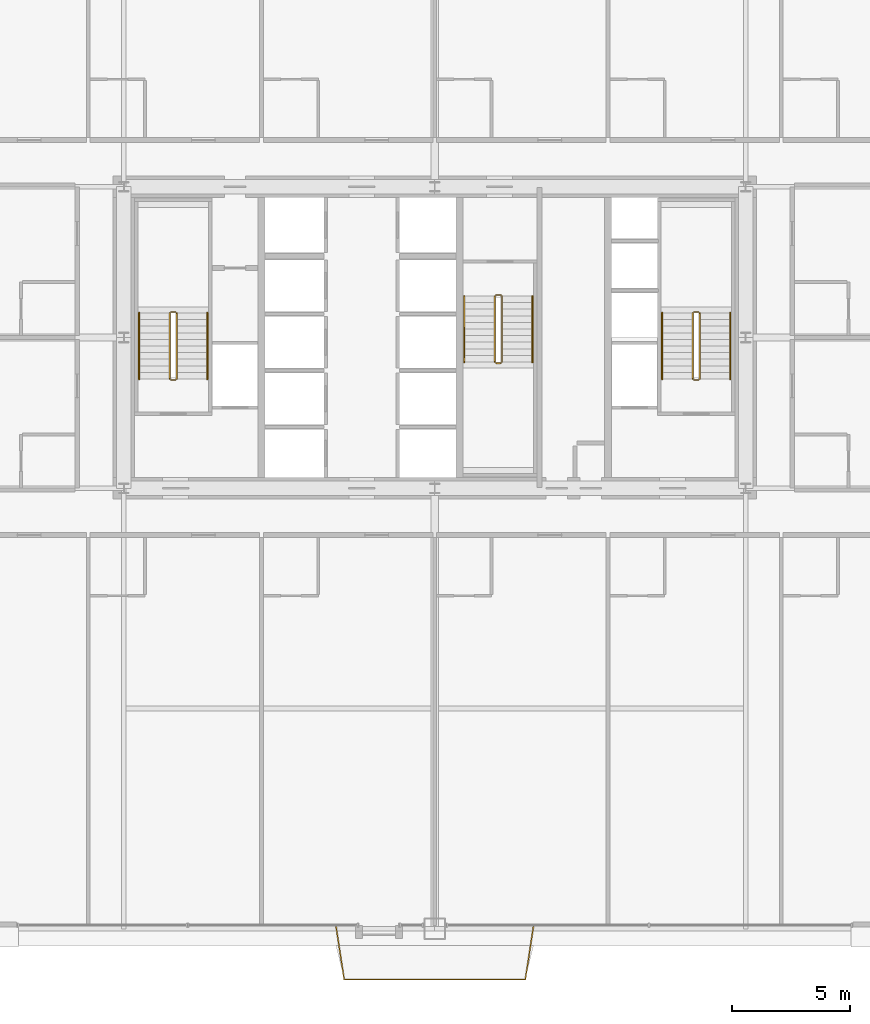
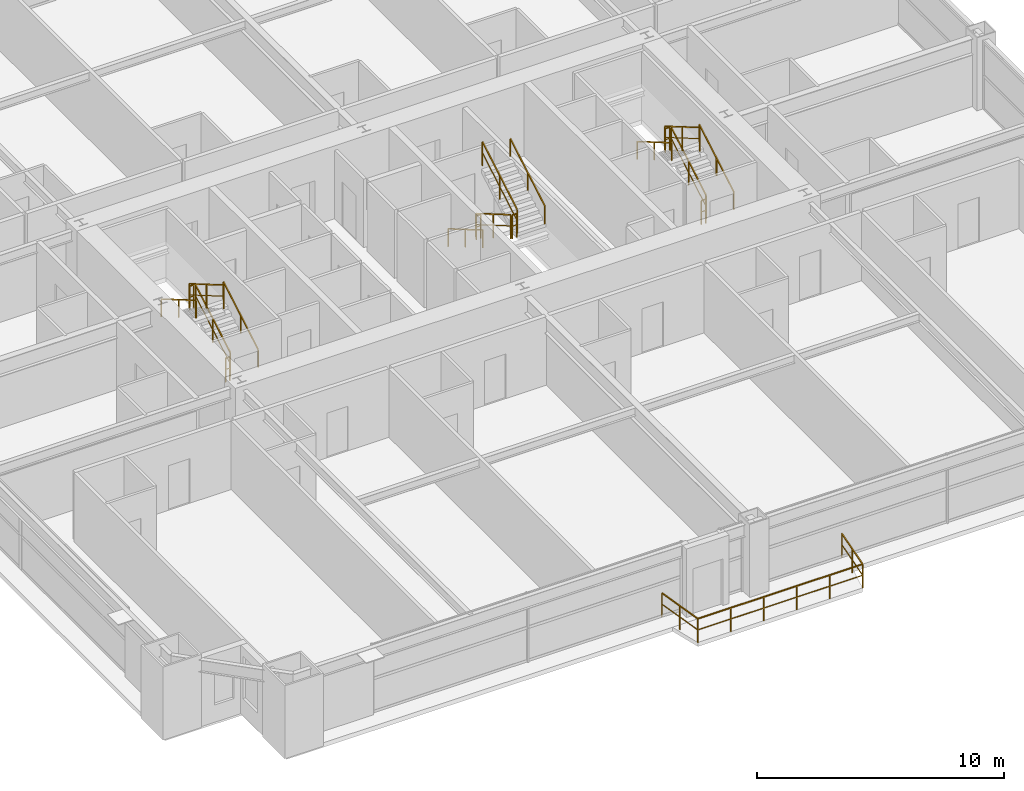
# One storey, part 45 of 45: 19 railings.
"""IFC4 building model written with IfcOpenShell, lengths in metres."""

from ifc_helpers import new_model, si_unit, direction, frame, origin, origin_2d, place, context, subcontext, project, spatial, rectangle, extrude, source, transform, mapped, material, layer, layer_set, type_object, element, save


model = new_model("IFC4")

# Units and contexts
model_context = context("Model", 3, precision=1e-05, world=origin(), true_north=direction((0.0, 1.0)))
body_context = subcontext(model_context, "Body", "Model", "MODEL_VIEW")
ifc_project = project(units=[si_unit("LENGTHUNIT", "METRE"), si_unit("AREAUNIT", "SQUARE_METRE"), si_unit("VOLUMEUNIT", "CUBIC_METRE"), si_unit("PLANEANGLEUNIT", "RADIAN"), si_unit("MASSUNIT", "GRAM", prefix="KILO"), si_unit("THERMODYNAMICTEMPERATUREUNIT", "KELVIN"), si_unit("POWERUNIT", "WATT")], contexts=[model_context])

# Site, building, storey
site_placement = place(None, origin())
site = spatial("IfcSite", under=ifc_project, at=site_placement, CompositionType="ELEMENT")
building_placement = place(site_placement, origin())
building = spatial("IfcBuilding", under=site, at=building_placement, Name="Yuzanri Waterfront Tower", CompositionType="ELEMENT")
storey_placement = place(building_placement, frame((0.0, 0.0, 34.199951171875)))
storey = spatial("IfcBuildingStorey", under=building, at=storey_placement, Name="L08", CompositionType="ELEMENT", Elevation=34.199951171875)

# Railings
ifc_material_1 = material(Name="Anodized Architectural Bronze", Category="metal")
ifc_layer_1 = layer(ifc_material_1, 0.080078125)
ifc_layer_set_1 = layer_set([ifc_layer_1], Name="Anodized Architectural Bronze")
railing_type_1 = type_object("IfcRailingType", Name="Laminated Glass and Bronze Balcony Guardrail 1200", PredefinedType="BALUSTRADE", material=ifc_layer_set_1)
shared_shape_1 = source(origin(), body_context, "Body", "SweptSolid", [
    extrude(rectangle(XDim=0.050048828125, YDim=0.050048828125, at=origin_2d()), frame((0.0, 0.0, 1.1748046875), z_axis=(0.150667464563, -0.988584500749, 0.0), x_axis=(0.988584500749, 0.150667464563, 0.0)), (0.0, 0.0, 1.0), 2.32373046875),
    extrude(rectangle(XDim=0.035888671875, YDim=0.030029296875, at=origin_2d()), frame((0.0, 0.0, 0.6240234375), z_axis=(0.150667464563, -0.988584500749, 0.0), x_axis=(0.988584500749, 0.150667464563, 0.0)), (0.0, 0.0, 1.0), 2.32373046875),
    extrude(rectangle(XDim=0.050048828125, YDim=0.050048828125, at=origin_2d()), frame((0.35009765625, -2.297119140625, 1.1748046875), z_axis=(1.0, 0.0, 0.0), x_axis=(0.0, 1.0, 0.0)), (0.0, 0.0, 1.0), 7.69287109375),
    extrude(rectangle(XDim=0.035888671875, YDim=0.030029296875, at=origin_2d()), frame((0.35009765625, -2.297119140625, 0.6240234375), z_axis=(1.0, 0.0, 0.0), x_axis=(0.0, 1.0, 0.0)), (0.0, 0.0, 1.0), 7.69287109375),
    extrude(rectangle(XDim=0.050048828125, YDim=0.050048828125, at=origin_2d()), frame((8.04296875, -2.297119140625, 1.1748046875), z_axis=(0.150667464563, 0.988584500749, 0.0), x_axis=(-0.988584500749, 0.150667464563, 0.0)), (0.0, 0.0, 1.0), 2.32373046875),
    extrude(rectangle(XDim=0.035888671875, YDim=0.030029296875, at=origin_2d()), frame((8.04296875, -2.297119140625, 0.6240234375), z_axis=(0.150667464563, 0.988584500749, 0.0), x_axis=(-0.988584500749, 0.150667464563, 0.0)), (0.0, 0.0, 1.0), 2.32373046875),
    extrude(rectangle(XDim=0.0458984375, YDim=0.0458984375, at=origin_2d()), origin(), (0.0, 0.0, 1.0), 1.14990234375),
    extrude(rectangle(XDim=0.0458984375, YDim=0.0458984375, at=origin_2d()), frame((0.175048828125, -1.1484375, 0.0)), (0.0, 0.0, 1.0), 1.14990234375),
    extrude(rectangle(XDim=0.0458984375, YDim=0.0458984375, at=origin_2d()), frame((0.35009765625, -2.297119140625, 0.0)), (0.0, 0.0, 1.0), 1.14990234375),
    extrude(rectangle(XDim=0.0458984375, YDim=0.0458984375, at=origin_2d()), frame((1.888671875, -2.297119140625, 0.0)), (0.0, 0.0, 1.0), 1.14990234375),
    extrude(rectangle(XDim=0.0458984375, YDim=0.0458984375, at=origin_2d()), frame((3.42724609375, -2.297119140625, 0.0)), (0.0, 0.0, 1.0), 1.14990234375),
    extrude(rectangle(XDim=0.0458984375, YDim=0.0458984375, at=origin_2d()), frame((4.9658203125, -2.297119140625, 0.0)), (0.0, 0.0, 1.0), 1.14990234375),
    extrude(rectangle(XDim=0.0458984375, YDim=0.0458984375, at=origin_2d()), frame((6.50439453125, -2.297119140625, 0.0)), (0.0, 0.0, 1.0), 1.14990234375),
    extrude(rectangle(XDim=0.0458984375, YDim=0.0458984375, at=origin_2d()), frame((8.04296875, -2.297119140625, 0.0)), (0.0, 0.0, 1.0), 1.14990234375),
    extrude(rectangle(XDim=0.0458984375, YDim=0.0458984375, at=origin_2d()), frame((8.218017578125, -1.1484375, 0.0)), (0.0, 0.0, 1.0), 1.14990234375),
    extrude(rectangle(XDim=0.0458984375, YDim=0.0458984375, at=origin_2d()), frame((8.39306640625, 0.0, 0.0)), (0.0, 0.0, 1.0), 1.14990234375),
])
railing_placement = place(storey_placement, frame((32.803466796875, 0.85009765625, 0.0)))
element("IfcRailing", 1, at=railing_placement, inside=storey, type_object=railing_type_1, Name="L08 S Engawa Terrace Guardrail", PredefinedType="BALUSTRADE", context=body_context, shape_type="MappedRepresentation", body=[
    mapped(shared_shape_1, transform((0.0, 0.0, 0.0), scale=1.0)),
])
ifc_material_2 = material(Name="Painted Galvanized Fire Steel", Category="steel")
ifc_layer_2 = layer(ifc_material_2, 0.06005859375)
ifc_layer_set_2 = layer_set([ifc_layer_2], Name="Painted Galvanized Fire Steel")
railing_type_2 = type_object("IfcRailingType", Name="Painted Steel Stairwell Guardrail 1120", PredefinedType="GUARDRAIL", material=ifc_layer_set_2)
shared_shape_2 = source(origin(), body_context, "Body", "SweptSolid", [
    extrude(rectangle(XDim=0.050048828125, YDim=0.050048828125, at=origin_2d()), frame((0.0, 0.0, 1.1748046875), z_axis=(-1.0, 0.0, 0.0), x_axis=(0.0, -1.0, 0.0)), (0.0, 0.0, 1.0), 0.199951171875),
    extrude(rectangle(XDim=0.035888671875, YDim=0.030029296875, at=origin_2d()), frame((0.0, 0.0, 0.6240234375), z_axis=(-1.0, 0.0, 0.0), x_axis=(0.0, -1.0, 0.0)), (0.0, 0.0, 1.0), 0.199951171875),
    extrude(rectangle(XDim=0.0458984375, YDim=0.0458984375, at=origin_2d()), origin(), (0.0, 0.0, 1.0), 1.14990234375),
    extrude(rectangle(XDim=0.0458984375, YDim=0.0458984375, at=origin_2d()), frame((-0.199951171875, 0.0, 0.0)), (0.0, 0.0, 1.0), 1.14990234375),
])
for number, where, name in (
    (2, (26.0, 26.889892578125, 1.800048828125), "L08 ST-01 stair guard 2"),
    (3, (26.0, 23.989990234375, 0.0), "L08 ST-01 stair guard 4"),
    (4, (48.199951171875, 26.889892578125, 1.800048828125), "L08 ST-02 stair guard 2"),
    (5, (48.199951171875, 23.989990234375, 0.0), "L08 ST-02 stair guard 4"),
):
    element("IfcRailing", number, at=place(storey_placement, frame(where)), inside=storey, type_object=railing_type_2, Name=name, PredefinedType="GUARDRAIL", context=body_context, shape_type="MappedRepresentation", body=[
        mapped(shared_shape_2, transform((0.0, 0.0, 0.0), scale=1.0)),
    ])
shared_shape_3 = source(origin(), body_context, "Body", "SweptSolid", [
    extrude(rectangle(XDim=0.050048828125, YDim=0.050048828125, at=origin_2d()), frame((0.0, 0.0, 1.1748046875), z_axis=(0.0, 0.863360870873, 0.504586966384), x_axis=(-1.0, 0.0, 0.0)), (0.0, 0.0, 1.0), 3.2431640625),
    extrude(rectangle(XDim=0.035888671875, YDim=0.030029296875, at=origin_2d()), frame((0.0, 0.0, 0.6240234375), z_axis=(0.0, 0.863360870873, 0.504586966384), x_axis=(-1.0, 0.0, 0.0)), (0.0, 0.0, 1.0), 3.2431640625),
    extrude(rectangle(XDim=0.0458984375, YDim=0.0458984375, at=origin_2d()), origin(), (0.0, 0.0, 1.0), 1.14990234375),
    extrude(rectangle(XDim=0.0458984375, YDim=0.0458984375, at=origin_2d()), frame((0.0, 1.39990234375, 0.818359375)), (0.0, 0.0, 1.0), 1.14990234375),
    extrude(rectangle(XDim=0.0458984375, YDim=0.0458984375, at=origin_2d()), frame((0.0, 2.800048828125, 1.636474609375)), (0.0, 0.0, 1.0), 1.14990234375),
])
for number, where, name in (
    (6, (26.050048828125, 24.0400390625, 0.16357421875), "L08 ST-01 stair guard 1"),
    (7, (48.25, 24.0400390625, 0.16357421875), "L08 ST-02 stair guard 1"),
    (8, (39.85009765625, 24.760009765625, 1.963623046875), "L08 ST-03 stair guard 3"),
):
    element("IfcRailing", number, at=place(storey_placement, frame(where)), inside=storey, type_object=railing_type_2, Name=name, PredefinedType="GUARDRAIL", context=body_context, shape_type="MappedRepresentation", body=[
        mapped(shared_shape_3, transform((0.0, 0.0, 0.0), scale=1.0)),
    ])
shared_shape_4 = source(origin(), body_context, "Body", "SweptSolid", [
    extrude(rectangle(XDim=0.050048828125, YDim=0.050048828125, at=origin_2d()), frame((0.0, 0.0, 1.1748046875), z_axis=(0.0, -0.863360870873, 0.504586966384), x_axis=(1.0, 0.0, 0.0)), (0.0, 0.0, 1.0), 3.2431640625),
    extrude(rectangle(XDim=0.035888671875, YDim=0.030029296875, at=origin_2d()), frame((0.0, 0.0, 0.6240234375), z_axis=(0.0, -0.863360870873, 0.504586966384), x_axis=(1.0, 0.0, 0.0)), (0.0, 0.0, 1.0), 3.2431640625),
    extrude(rectangle(XDim=0.0458984375, YDim=0.0458984375, at=origin_2d()), origin(), (0.0, 0.0, 1.0), 1.14990234375),
    extrude(rectangle(XDim=0.0458984375, YDim=0.0458984375, at=origin_2d()), frame((0.0, -1.39990234375, 0.818359375)), (0.0, 0.0, 1.0), 1.14990234375),
    extrude(rectangle(XDim=0.0458984375, YDim=0.0458984375, at=origin_2d()), frame((0.0, -2.800048828125, 1.636474609375)), (0.0, 0.0, 1.0), 1.14990234375),
])
for number, where, name in (
    (9, (25.75, 26.840087890625, 1.963623046875), "L08 ST-01 stair guard 3"),
    (10, (47.949951171875, 26.840087890625, 1.963623046875), "L08 ST-02 stair guard 3"),
    (11, (39.550048828125, 27.56005859375, 0.16357421875), "L08 ST-03 stair guard 1"),
):
    element("IfcRailing", number, at=place(storey_placement, frame(where)), inside=storey, type_object=railing_type_2, Name=name, PredefinedType="GUARDRAIL", context=body_context, shape_type="MappedRepresentation", body=[
        mapped(shared_shape_4, transform((0.0, 0.0, 0.0), scale=1.0)),
    ])
ifc_material_3 = material(Name="Anodized Architectural Bronze", Category="metal")
ifc_layer_3 = layer(ifc_material_3, 0.050048828125)
ifc_layer_set_3 = layer_set([ifc_layer_3], Name="Anodized Architectural Bronze")
railing_type_3 = type_object("IfcRailingType", Name="Brushed Bronze Stair Pitch Handrail 920", PredefinedType="HANDRAIL", material=ifc_layer_set_3)
shared_shape_5 = source(origin(), body_context, "Body", "SweptSolid", [
    extrude(rectangle(XDim=0.050048828125, YDim=0.050048828125, at=origin_2d()), frame((0.0, 0.0, 0.875), z_axis=(0.0, 0.863360870873, 0.504586966384), x_axis=(-1.0, 0.0, 0.0)), (0.0, 0.0, 1.0), 3.2431640625),
    extrude(rectangle(XDim=0.0458984375, YDim=0.0458984375, at=origin_2d()), origin(), (0.0, 0.0, 1.0), 0.849853515625),
    extrude(rectangle(XDim=0.0458984375, YDim=0.0458984375, at=origin_2d()), frame((0.0, 1.39990234375, 0.818359375)), (0.0, 0.0, 1.0), 0.849853515625),
    extrude(rectangle(XDim=0.0458984375, YDim=0.0458984375, at=origin_2d()), frame((0.0, 2.800048828125, 1.636474609375)), (0.0, 0.0, 1.0), 0.849853515625),
])
for number, where, name in (
    (12, (27.35009765625, 24.0400390625, 0.16357421875), "L08 ST-01 stair handrail 1"),
    (13, (49.550048828125, 24.0400390625, 0.16357421875), "L08 ST-02 stair handrail 1"),
    (14, (41.14990234375, 24.760009765625, 1.963623046875), "L08 ST-03 stair handrail 2"),
):
    element("IfcRailing", number, at=place(storey_placement, frame(where)), inside=storey, type_object=railing_type_3, Name=name, PredefinedType="HANDRAIL", context=body_context, shape_type="MappedRepresentation", body=[
        mapped(shared_shape_5, transform((0.0, 0.0, 0.0), scale=1.0)),
    ])
shared_shape_6 = source(origin(), body_context, "Body", "SweptSolid", [
    extrude(rectangle(XDim=0.050048828125, YDim=0.050048828125, at=origin_2d()), frame((0.0, 0.0, 0.875), z_axis=(0.0, -0.863360870873, 0.504586966384), x_axis=(1.0, 0.0, 0.0)), (0.0, 0.0, 1.0), 3.2431640625),
    extrude(rectangle(XDim=0.0458984375, YDim=0.0458984375, at=origin_2d()), origin(), (0.0, 0.0, 1.0), 0.849853515625),
    extrude(rectangle(XDim=0.0458984375, YDim=0.0458984375, at=origin_2d()), frame((0.0, -1.39990234375, 0.818359375)), (0.0, 0.0, 1.0), 0.849853515625),
    extrude(rectangle(XDim=0.0458984375, YDim=0.0458984375, at=origin_2d()), frame((0.0, -2.800048828125, 1.636474609375)), (0.0, 0.0, 1.0), 0.849853515625),
])
for number, where, name in (
    (15, (24.449951171875, 26.840087890625, 1.963623046875), "L08 ST-01 stair handrail 2"),
    (16, (46.64990234375, 26.840087890625, 1.963623046875), "L08 ST-02 stair handrail 2"),
    (17, (38.25, 27.56005859375, 0.16357421875), "L08 ST-03 stair handrail 1"),
):
    element("IfcRailing", number, at=place(storey_placement, frame(where)), inside=storey, type_object=railing_type_3, Name=name, PredefinedType="HANDRAIL", context=body_context, shape_type="MappedRepresentation", body=[
        mapped(shared_shape_6, transform((0.0, 0.0, 0.0), scale=1.0)),
    ])
shared_shape_7 = source(origin(), body_context, "Body", "SweptSolid", [
    extrude(rectangle(XDim=0.050048828125, YDim=0.050048828125, at=origin_2d()), frame((0.0, 0.0, 1.1748046875), z_axis=(1.0, 0.0, 0.0), x_axis=(0.0, 1.0, 0.0)), (0.0, 0.0, 1.0), 0.199951171875),
    extrude(rectangle(XDim=0.035888671875, YDim=0.030029296875, at=origin_2d()), frame((0.0, 0.0, 0.6240234375), z_axis=(1.0, 0.0, 0.0), x_axis=(0.0, 1.0, 0.0)), (0.0, 0.0, 1.0), 0.199951171875),
    extrude(rectangle(XDim=0.0458984375, YDim=0.0458984375, at=origin_2d()), origin(), (0.0, 0.0, 1.0), 1.14990234375),
    extrude(rectangle(XDim=0.0458984375, YDim=0.0458984375, at=origin_2d()), frame((0.199951171875, 0.0, 0.0)), (0.0, 0.0, 1.0), 1.14990234375),
])
for number, where, name in (
    (18, (39.60009765625, 24.7099609375, 1.800048828125), "L08 ST-03 stair guard 2"),
    (19, (39.60009765625, 27.610107421875, 0.0), "L08 ST-03 stair guard 4"),
):
    element("IfcRailing", number, at=place(storey_placement, frame(where)), inside=storey, type_object=railing_type_2, Name=name, PredefinedType="GUARDRAIL", context=body_context, shape_type="MappedRepresentation", body=[
        mapped(shared_shape_7, transform((0.0, 0.0, 0.0), scale=1.0)),
    ])

save(model, "model.ifc")
